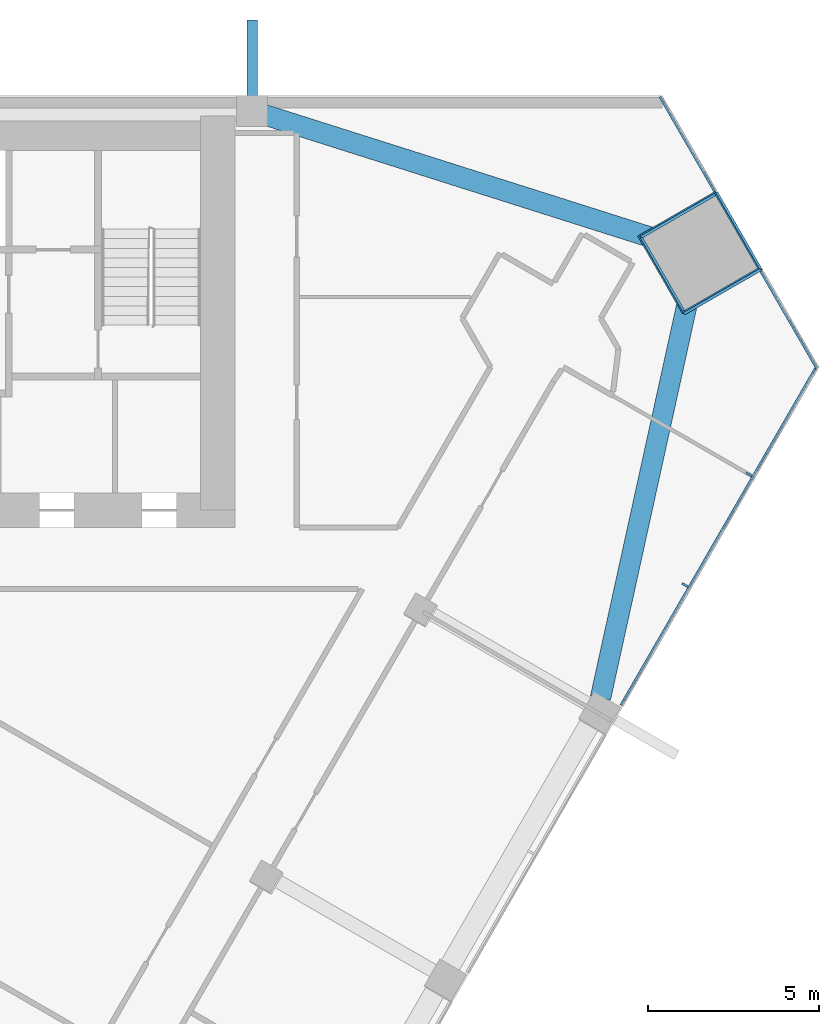
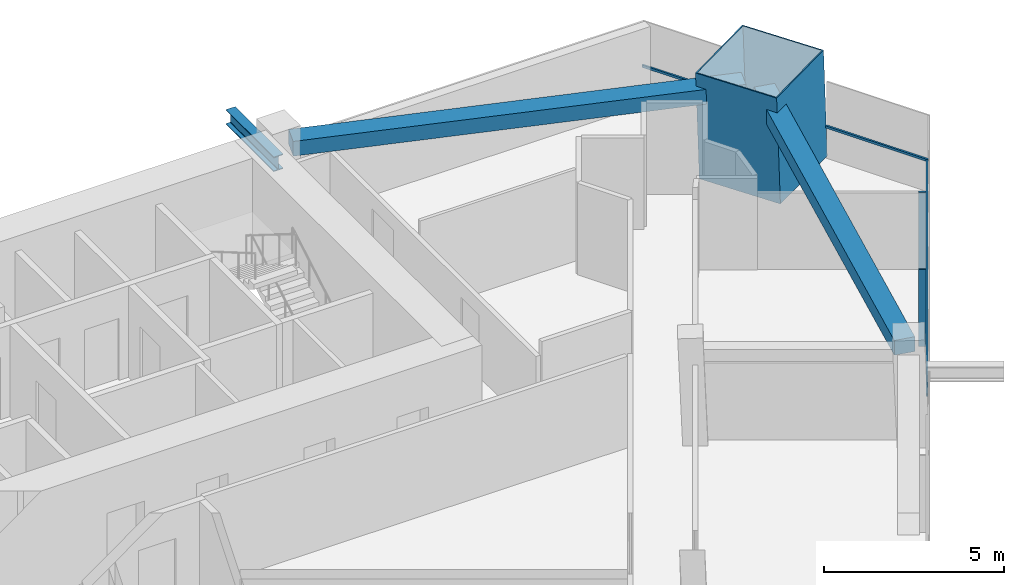
# One storey, part 7 of 13: 7 members, 2 beams, 2 elements without a shape of their own.
"""IFC4 building model written with IfcOpenShell, lengths in metres."""

import ifcopenshell
import ifcopenshell.guid

model = None  # the IFC model being written
_history = None  # IfcOwnerHistory: only IFC2X3 demands one
_inside = {}  # id of a spatial element -> (the spatial element, [elements in it])
_under = {}  # id of a project, library or spatial element -> (it, [spatial elements below it])
_declared = {}  # id of a project -> (the project, [libraries it declares])
_typed = {}  # id of a type object -> (the type object, [elements of that type])
_made_of = {}  # id of a material, layer set ... -> (it, [elements and type objects made of it])


def new_model(schema):
    """Start an empty IFC model of exactly this schema.

    Asked for "IFC4X3", IfcOpenShell would pick the latest addendum, in which some entities
    have other attributes; the version numbers below select the first issue.
    IFC2X3 requires an IfcOwnerHistory on every rooted entity: one is made here for all.
    """
    global model, _history
    if schema == "IFC4X3":
        model = ifcopenshell.file(schema_version=(4, 3, 0, 0))
    else:
        model = ifcopenshell.file(schema=schema)
    _inside.clear()
    _under.clear()
    _declared.clear()
    _typed.clear()
    _made_of.clear()
    _history = None
    if model.schema == "IFC2X3":
        org = make("IfcOrganization", Name="unknown")
        user = make(
            "IfcPersonAndOrganization",
            ThePerson=make("IfcPerson", FamilyName="unknown"),
            TheOrganization=org,
        )
        app = make(
            "IfcApplication",
            ApplicationDeveloper=org,
            Version="unknown",
            ApplicationFullName="unknown",
            ApplicationIdentifier="unknown",
        )
        _history = make(
            "IfcOwnerHistory",
            OwningUser=user,
            OwningApplication=app,
            ChangeAction="ADDED",
            CreationDate=0,
        )
    return model


def make(cls, **values):
    """One entity of the class cls with the attributes given. An attribute that is None is left unset."""
    return model.create_entity(
        cls, **{name: value for name, value in values.items() if value is not None}
    )


def rooted(cls, **values):
    """An entity with a GlobalId (a new one), such as an element, a storey or a relation."""
    return make(cls, GlobalId=ifcopenshell.guid.new(), OwnerHistory=_history, **values)


def si_unit(unit_type, name, prefix=None):
    """IfcSIUnit, for example si_unit("LENGTHUNIT", "METRE", prefix="MILLI")."""
    return make("IfcSIUnit", UnitType=unit_type, Prefix=prefix, Name=name)


def assignment(units):
    """IfcUnitAssignment: the units of a project."""
    return None if units is None else make("IfcUnitAssignment", Units=units)


def point(xyz):
    """IfcCartesianPoint."""
    return None if xyz is None else make("IfcCartesianPoint", Coordinates=xyz)


def direction(xyz):
    """IfcDirection."""
    return None if xyz is None else make("IfcDirection", DirectionRatios=xyz)


def frame(location, z_axis=None, x_axis=None):
    """IfcAxis2Placement3D, a coordinate frame: its origin and axes. An axis left out is left unset."""
    return make(
        "IfcAxis2Placement3D",
        Location=point(location),
        Axis=direction(z_axis),
        RefDirection=direction(x_axis),
    )


def frame_2d(location, x_axis=None):
    """IfcAxis2Placement2D, a coordinate frame in the plane: its origin and x axis."""
    return make(
        "IfcAxis2Placement2D", Location=point(location), RefDirection=direction(x_axis)
    )


def origin():
    """The frame at (0, 0, 0) with its axes left unset."""
    return frame((0.0, 0.0, 0.0))


def origin_2d():
    """The frame at (0, 0) in the plane with its x axis left unset."""
    return frame_2d((0.0, 0.0))


def place(relative_to, where):
    """IfcLocalPlacement: puts the frame where relative to a parent placement (None: the world)."""
    return make(
        "IfcLocalPlacement", PlacementRelTo=relative_to, RelativePlacement=where
    )


def context(
    kind, dimensions, precision=None, world=None, true_north=None, identifier=None
):
    """IfcGeometricRepresentationContext, for example the 3D "Model" context."""
    return make(
        "IfcGeometricRepresentationContext",
        ContextIdentifier=identifier,
        ContextType=kind,
        CoordinateSpaceDimension=dimensions,
        Precision=precision,
        WorldCoordinateSystem=world,
        TrueNorth=true_north,
    )


def subcontext(parent, identifier, kind, view, scale=None):
    """IfcGeometricRepresentationSubContext, for example "Body" below "Model"."""
    return make(
        "IfcGeometricRepresentationSubContext",
        ContextIdentifier=identifier,
        ContextType=kind,
        ParentContext=parent,
        TargetScale=scale,
        TargetView=view,
    )


def project(units=None, contexts=None):
    """IfcProject with its units and contexts."""
    return rooted(
        "IfcProject",
        Name="project",
        RepresentationContexts=contexts,
        UnitsInContext=assignment(units),
    )


def spatial(cls, under=None, at=None, **own):
    """A site, building, storey or space (cls), placed at a placement, below another one or the project."""
    s = rooted(cls, ObjectPlacement=at, **own)
    if under is not None:
        _under.setdefault(under.id(), (under, []))[1].append(s)
    return s


def profile(cls, at=None, kind="AREA", **sizes):
    """A parametric profile (cls). Its sizes go by their IFC names, for example OverallWidth=200.0."""
    return make(cls, ProfileType=kind, Position=at, **sizes)


def rectangle(**sizes):
    """IfcRectangleProfileDef."""
    return profile("IfcRectangleProfileDef", **sizes)


def hollow_rectangle(**sizes):
    """IfcRectangleHollowProfileDef."""
    return profile("IfcRectangleHollowProfileDef", **sizes)


def i_section(**sizes):
    """IfcIShapeProfileDef."""
    return profile("IfcIShapeProfileDef", **sizes)


def extrude(swept, where, along, depth):
    """IfcExtrudedAreaSolid: the profile swept, set in the frame where, extruded along a direction by depth."""
    return make(
        "IfcExtrudedAreaSolid",
        SweptArea=swept,
        Position=where,
        ExtrudedDirection=direction(along),
        Depth=depth,
    )


def shape(context_of_items, identifier, shape_type, items):
    """IfcShapeRepresentation: the items that make up one representation, for example the "Body"."""
    return make(
        "IfcShapeRepresentation",
        ContextOfItems=context_of_items,
        RepresentationIdentifier=identifier,
        RepresentationType=shape_type,
        Items=items,
    )


def material(Name=None, Category=None):
    """IfcMaterial."""
    return make("IfcMaterial", Name=Name, Category=Category)


def layer(
    of_material, thickness, ventilated=None, Name=None, Category=None, Priority=None
):
    """IfcMaterialLayer: one layer of a wall or slab, of a material (None: an air gap)."""
    return make(
        "IfcMaterialLayer",
        Material=of_material,
        LayerThickness=thickness,
        IsVentilated=ventilated,
        Name=Name,
        Category=Category,
        Priority=Priority,
    )


def layer_set(layers, Name=None):
    """IfcMaterialLayerSet."""
    return make("IfcMaterialLayerSet", MaterialLayers=layers, LayerSetName=Name)


def material_profile(
    of_material, cross_section, Name=None, Category=None, Priority=None
):
    """IfcMaterialProfile: a cross section and its material."""
    return make(
        "IfcMaterialProfile",
        Name=Name,
        Material=of_material,
        Profile=cross_section,
        Priority=Priority,
        Category=Category,
    )


def profile_set(profiles, Name=None, composite=None):
    """IfcMaterialProfileSet."""
    return make(
        "IfcMaterialProfileSet",
        Name=Name,
        MaterialProfiles=profiles,
        CompositeProfile=composite,
    )


def made_of(thing, what):
    """Note that an element or type object is made of a material, layer set ...; save() writes the relation."""
    if what is not None:
        _made_of.setdefault(what.id(), (what, []))[1].append(thing)
    return thing


def type_object(cls, material=None, **own):
    """A type object (cls), such as IfcWallType, which elements share."""
    return made_of(rooted(cls, **own), material)


def element(
    cls,
    number,
    at=None,
    inside=None,
    cuts=None,
    type_object=None,
    material=None,
    context=None,
    identifier="Body",
    shape_type=None,
    held_by="IfcProductDefinitionShape",
    body=None,
    shapes=None,
    **own,
):
    """One element of the class cls, such as IfcWall. Its Tag is "e" and its number.

    at: its placement. inside: the storey or other place that contains it. cuts: it is an
    opening in that element (IfcRelVoidsElement). A single representation is given by context,
    identifier, shape_type and body (its items); several are given by shapes. held_by: the class
    of the entity that holds the representations. save() writes the other relations.
    """
    e = rooted(cls, Tag="e%d" % number, ObjectPlacement=at, **own)
    if body is not None:
        shapes = [shape(context, identifier, shape_type, body)]
    if shapes is not None:
        e.Representation = make(held_by, Representations=shapes)
    if inside is not None:
        _inside.setdefault(inside.id(), (inside, []))[1].append(e)
    if cuts is not None:
        rooted(
            "IfcRelVoidsElement", RelatingBuildingElement=cuts, RelatedOpeningElement=e
        )
    if type_object is not None:
        _typed.setdefault(type_object.id(), (type_object, []))[1].append(e)
    return made_of(e, material)


def aggregate(whole, parts):
    """IfcRelAggregates: a whole, such as a stair, and the parts it consists of."""
    return rooted("IfcRelAggregates", RelatingObject=whole, RelatedObjects=parts)


def save(model, path):
    """Write the relations noted so far, then the file.

    IfcRelAggregates (storeys below a building ...), IfcRelContainedInSpatialStructure (elements
    in a storey), IfcRelDefinesByType, IfcRelAssociatesMaterial and IfcRelDeclares: one each for
    every whole, place, type object, material and project.
    """
    for whole, parts in _under.values():
        aggregate(whole, parts)
    for where, things in _inside.values():
        rooted(
            "IfcRelContainedInSpatialStructure",
            RelatedElements=things,
            RelatingStructure=where,
        )
    for kind, things in _typed.values():
        rooted("IfcRelDefinesByType", RelatedObjects=things, RelatingType=kind)
    for what, things in _made_of.values():
        rooted("IfcRelAssociatesMaterial", RelatedObjects=things, RelatingMaterial=what)
    for by, libraries in _declared.values():
        rooted("IfcRelDeclares", RelatingContext=by, RelatedDefinitions=libraries)
    model.write(path)


model = new_model("IFC4")

# Units and contexts
model_context = context("Model", 3, precision=1e-05, world=origin(), true_north=direction((0.0, 1.0)))
body_context = subcontext(model_context, "Body", "Model", "MODEL_VIEW")
ifc_project = project(units=[si_unit("LENGTHUNIT", "METRE"), si_unit("AREAUNIT", "SQUARE_METRE"), si_unit("VOLUMEUNIT", "CUBIC_METRE"), si_unit("PLANEANGLEUNIT", "RADIAN"), si_unit("MASSUNIT", "GRAM", prefix="KILO")], contexts=[model_context])

# Site, building, storey
site_placement = place(None, origin())
site = spatial("IfcSite", under=ifc_project, at=site_placement, CompositionType="ELEMENT")
building_placement = place(site_placement, origin())
building = spatial("IfcBuilding", under=site, at=building_placement, Name="Altiplano Prism Tower", CompositionType="ELEMENT")
storey_placement = place(building_placement, frame((0.0, 0.0, 66.60009765625)))
storey = spatial("IfcBuildingStorey", under=building, at=storey_placement, Name="L16", CompositionType="ELEMENT", Elevation=66.60009765625)

# Member
ifc_material_1 = material(Name="Steel S355", Category="steel")
ifc_material_profile_1 = material_profile(ifc_material_1, i_section(OverallWidth=0.300048828125, OverallDepth=0.5, WebThickness=0.014404296875, FlangeThickness=0.028076171875, FilletRadius=0.027099609375, at=origin_2d()), Name="Brace bracket HEB 500")
ifc_profile_set_1 = profile_set([ifc_material_profile_1], Name="Steel S355")
member_type_1 = type_object("IfcMemberType", Name="Brace bracket HEB 500", PredefinedType="STRUT", material=ifc_profile_set_1)
member_1_placement = place(storey_placement, frame((98.5, 104.550048828125, 2.220458984375), z_axis=(0.0, 1.0, 0.0), x_axis=(-1.0, 0.0, 0.0)))
element("IfcMember", 1, at=member_1_placement, inside=storey, type_object=member_type_1, Name="Brace bracket 0.70.2", PredefinedType="STRUT", context=body_context, shape_type="SweptSolid", body=[
    extrude(i_section(OverallWidth=0.300048828125, OverallDepth=0.5, WebThickness=0.014404296875, FlangeThickness=0.028076171875, FilletRadius=0.027099609375, at=origin_2d()), origin(), (0.0, 0.0, 1.0), 2.64990234375),
])

# Curtain wall, members
ifc_material_2 = material(Name="Aluminium and glass", Category="aluminium")
ifc_layer = layer(ifc_material_2, 0.303955078125)
ifc_layer_set = layer_set([ifc_layer], Name="Aluminium and glass")
curtain_wall_type = type_object("IfcCurtainWallType", Name="CW2 lounge-band unitised glazing", PredefinedType="NOTDEFINED", material=ifc_layer_set)
curtain_wall_1_placement = place(storey_placement, origin())
curtain_wall_1 = element("IfcCurtainWall", 2, at=curtain_wall_1_placement, inside=storey, type_object=curtain_wall_type, Name="CW2 curtain wall south-east face L16", PredefinedType="NOTDEFINED")
ifc_material_3 = material(Name="Aluminium", Category="aluminium")
ifc_material_profile_2 = material_profile(ifc_material_3, rectangle(XDim=0.199951171875, YDim=0.06005859375, at=origin_2d()), Name="CW2 mullion 60 x 200")
ifc_profile_set_2 = profile_set([ifc_material_profile_2], Name="Aluminium")
member_type_2 = type_object("IfcMemberType", Name="CW2 mullion 60 x 200", PredefinedType="MULLION", material=ifc_profile_set_2)
member_2_placement = place(storey_placement, frame((111.1298828125, 90.71435546875, 0.0), z_axis=(0.0, 0.0, 1.0), x_axis=(-0.866025408994, 0.499999990976, 0.0)))
member_2 = element("IfcMember", 3, at=member_2_placement, type_object=member_type_2, Name="CW2 mullion", PredefinedType="MULLION", context=body_context, shape_type="SweptSolid", body=[
    extrude(rectangle(XDim=0.199951171875, YDim=0.06005859375, at=origin_2d()), origin(), (0.0, 0.0, 1.0), 2.599853515625),
])
member_3_placement = place(storey_placement, frame((112.994873046875, 93.94482421875, 0.0), z_axis=(0.0, 0.0, 1.0), x_axis=(-0.866025408994, 0.499999990976, 0.0)))
member_3 = element("IfcMember", 4, at=member_3_placement, type_object=member_type_2, Name="CW2 mullion", PredefinedType="MULLION", context=body_context, shape_type="SweptSolid", body=[
    extrude(rectangle(XDim=0.199951171875, YDim=0.06005859375, at=origin_2d()), origin(), (0.0, 0.0, 1.0), 2.599853515625),
])
ifc_material_profile_3 = material_profile(ifc_material_3, rectangle(XDim=0.06005859375, YDim=0.080078125, at=origin_2d()), Name="CW2 transom 80 x 60")
ifc_profile_set_3 = profile_set([ifc_material_profile_3], Name="Aluminium")
member_type_3 = type_object("IfcMemberType", Name="CW2 transom 80 x 60", PredefinedType="USERDEFINED", material=ifc_profile_set_3)
member_4_placement = place(storey_placement, frame((109.25732421875, 87.2109375, 1.099853515625), z_axis=(0.50001211022, 0.866018411832, 0.0), x_axis=(-0.866018411832, 0.50001211022, 0.0)))
member_4 = element("IfcMember", 5, at=member_4_placement, type_object=member_type_3, Name="CW2 transom", ObjectType="TRANSOM", PredefinedType="USERDEFINED", context=body_context, shape_type="SweptSolid", body=[
    extrude(rectangle(XDim=0.06005859375, YDim=0.080078125, at=origin_2d()), origin(), (0.0, 0.0, 1.0), 11.430419921875),
])
aggregate(curtain_wall_1, [member_2, member_3, member_4])

curtain_wall_2_placement = place(storey_placement, origin())
curtain_wall_2 = element("IfcCurtainWall", 6, at=curtain_wall_2_placement, inside=storey, type_object=curtain_wall_type, Name="CW2 curtain wall north-east chamfer L16", PredefinedType="NOTDEFINED")
member_5_placement = place(storey_placement, frame((114.97265625, 97.035888671875, 1.099853515625), z_axis=(-0.499993320981, 0.866029259884, 0.0), x_axis=(-0.866029259884, -0.499993320981, 0.0)))
member_5 = element("IfcMember", 7, at=member_5_placement, type_object=member_type_3, Name="CW2 transom", ObjectType="TRANSOM", PredefinedType="USERDEFINED", context=body_context, shape_type="SweptSolid", body=[
    extrude(rectangle(XDim=0.06005859375, YDim=0.080078125, at=origin_2d()), origin(), (0.0, 0.0, 1.0), 3.27685546875),
])
member_6_placement = place(storey_placement, frame((111.994140625, 102.194580078125, 1.099853515625), z_axis=(-0.499967078895, 0.866044409959, 0.0), x_axis=(-0.866044409959, -0.499967078895, 0.0)))
member_6 = element("IfcMember", 8, at=member_6_placement, type_object=member_type_3, Name="CW2 transom", ObjectType="TRANSOM", PredefinedType="USERDEFINED", context=body_context, shape_type="SweptSolid", body=[
    extrude(rectangle(XDim=0.06005859375, YDim=0.080078125, at=origin_2d()), origin(), (0.0, 0.0, 1.0), 3.196533203125),
])
aggregate(curtain_wall_2, [member_5, member_6])

# Beams
ifc_material_4 = material(Name="Concrete C60/75", Category="concrete")
ifc_material_profile_4 = material_profile(ifc_material_4, rectangle(XDim=0.60009765625, YDim=0.5, at=origin_2d()), Name="Edge beam 600x500")
ifc_profile_set_4 = profile_set([ifc_material_profile_4], Name="Concrete C60/75")
beam_type = type_object("IfcBeamType", Name="Edge beam 600x500", PredefinedType="SPANDREL", material=ifc_profile_set_4)
for number, where, z_axis, x_axis, name in (
    (9, (108.66259765625, 87.4228515625, 2.849853515625), (0.214740431679, 0.97667115602, 0.0), (-0.97667115602, 0.214740431679, 0.0), "Edge beam P24-M2 L17"),
    (10, (111.09130859375, 100.555908203125, 2.849853515625), (-0.953191000521, 0.302368841855, 0.0), (-0.302368841855, -0.953191000521, 0.0), "Edge beam M2-P01 L17"),
):
    element("IfcBeam", number, at=place(storey_placement, frame(where, z_axis=z_axis, x_axis=x_axis)), inside=storey, type_object=beam_type, Name=name, PredefinedType="SPANDREL", context=body_context, shape_type="SweptSolid", body=[
        extrude(rectangle(XDim=0.60009765625, YDim=0.5, at=origin_2d()), origin(), (0.0, 0.0, 1.0), 12.857421875),
    ])

# Member
ifc_material_5 = material(Name="Steel S460", Category="steel")
ifc_material_profile_5 = material_profile(ifc_material_5, hollow_rectangle(XDim=2.60009765625, YDim=2.60009765625, WallThickness=0.0400390625, at=origin_2d()), Name="Mega column tube 2600")
ifc_profile_set_5 = profile_set([ifc_material_profile_5], Name="Steel S460")
member_type_4 = type_object("IfcMemberType", Name="Mega column tube 2600", PredefinedType="POST", material=ifc_profile_set_5)
member_7_placement = place(storey_placement, frame((111.62255859375, 100.386474609375, 0.0), z_axis=(-0.028403721265, 0.009287135593, 0.999553389135), x_axis=(0.498883740729, -0.866383866755, 0.02222630567)))
element("IfcMember", 11, at=member_7_placement, inside=storey, type_object=member_type_4, Name="Mega column tube M2 L16", PredefinedType="POST", context=body_context, shape_type="SweptSolid", body=[
    extrude(hollow_rectangle(XDim=2.60009765625, YDim=2.60009765625, WallThickness=0.0400390625, at=origin_2d()), origin(), (0.0, 0.0, 1.0), 3.6015625),
])

save(model, "model.ifc")
